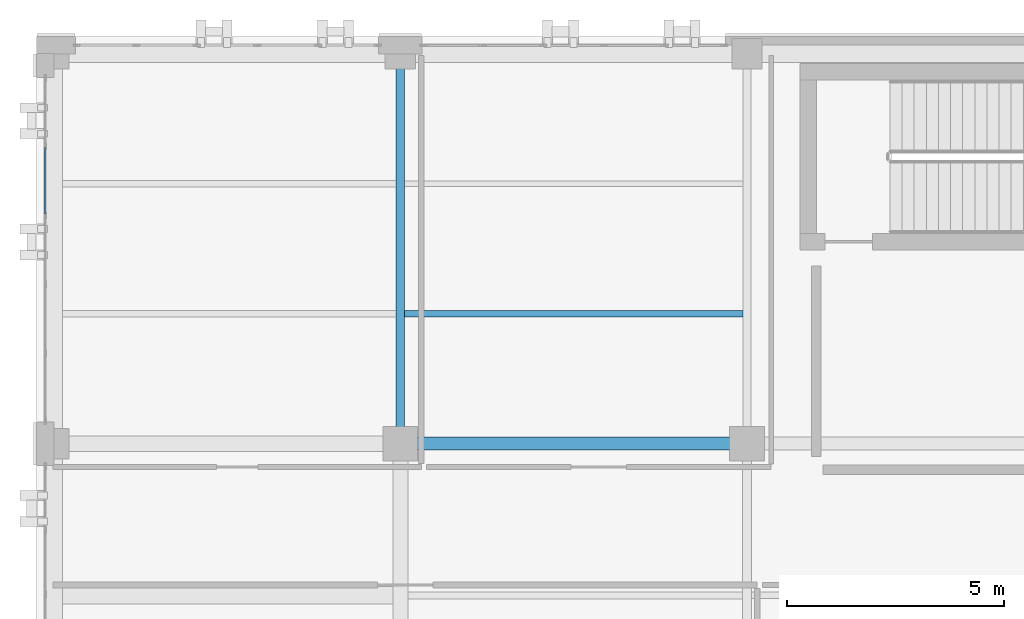
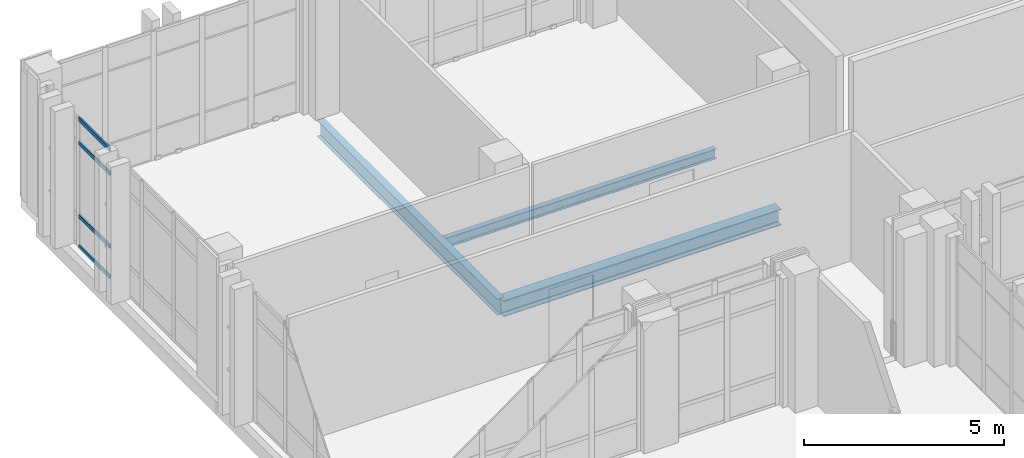
# One storey, part 86 of 158: 4 members, 3 beams, 1 element without a shape of its own.
"""IFC4 building model written with IfcOpenShell, lengths in metres."""

from ifc_helpers import new_model, si_unit, direction, frame, origin, origin_2d, place, context, subcontext, project, spatial, hollow_rectangle, i_section, extrude, material, layer, layer_set, material_profile, profile_set, type_object, element, aggregate, save


model = new_model("IFC4")

# Units and contexts
model_context = context("Model", 3, precision=1e-05, world=origin(), true_north=direction((0.0, 1.0)))
body_context = subcontext(model_context, "Body", "Model", "MODEL_VIEW")
ifc_project = project(units=[si_unit("LENGTHUNIT", "METRE"), si_unit("AREAUNIT", "SQUARE_METRE"), si_unit("VOLUMEUNIT", "CUBIC_METRE"), si_unit("PLANEANGLEUNIT", "RADIAN"), si_unit("MASSUNIT", "GRAM", prefix="KILO")], contexts=[model_context])

# Site, building, storey
site_placement = place(None, origin())
site = spatial("IfcSite", under=ifc_project, at=site_placement, CompositionType="ELEMENT")
building_placement = place(site_placement, origin())
building = spatial("IfcBuilding", under=site, at=building_placement, Name="Qalavern Law Courts", CompositionType="ELEMENT")
storey_placement = place(building_placement, frame((0.0, 0.0, 18.60009765625)))
storey = spatial("IfcBuildingStorey", under=building, at=storey_placement, Name="L04", CompositionType="ELEMENT", Elevation=18.60009765625)

# Curtain wall, members
ifc_material_1 = material(Name="Anodised aluminium and insulated glazing", Category="aluminium")
ifc_layer = layer(ifc_material_1, 0.166015625)
ifc_layer_set = layer_set([ifc_layer], Name="Anodised aluminium and insulated glazing")
curtain_wall_type = type_object("IfcCurtainWallType", Name="ENV-CW-LIB", PredefinedType="USERDEFINED", material=ifc_layer_set)
curtain_wall_placement = place(storey_placement, origin())
curtain_wall = element("IfcCurtainWall", 1, at=curtain_wall_placement, inside=storey, type_object=curtain_wall_type, Name="V5 unitised curtain wall L04 west 1", ObjectType="UNITISED CURTAIN WALL", PredefinedType="USERDEFINED")
ifc_material_2 = material(Name="Anodised aluminium", Category="aluminium")
ifc_material_profile_1 = material_profile(ifc_material_2, hollow_rectangle(XDim=0.048095703125, YDim=0.1201171875, WallThickness=0.00390625, at=origin_2d()), Name="ALU TRANSOM 48x120")
ifc_profile_set_1 = profile_set([ifc_material_profile_1], Name="Anodised aluminium")
member_type = type_object("IfcMemberType", Name="ENV-CWT-48x120", PredefinedType="USERDEFINED", material=ifc_profile_set_1)
member_1_placement = place(storey_placement, frame((2.199951171875, 110.43994140625, 0.02392578125), z_axis=(0.0, -1.0, 0.0), x_axis=(1.0, 0.0, 0.0)))
member_1 = element("IfcMember", 2, at=member_1_placement, type_object=member_type, Name="CW-05 transom 2.1", ObjectType="TRANSOM", PredefinedType="USERDEFINED", context=body_context, shape_type="SweptSolid", body=[
    extrude(hollow_rectangle(XDim=0.048095703125, YDim=0.1201171875, WallThickness=0.00390625, at=origin_2d()), origin(), (0.0, 0.0, 1.0), 1.54296875),
])
member_2_placement = place(storey_placement, frame((2.199951171875, 110.43994140625, 0.949951171875), z_axis=(0.0, -1.0, 0.0), x_axis=(1.0, 0.0, 0.0)))
member_2 = element("IfcMember", 3, at=member_2_placement, type_object=member_type, Name="CW-05 transom 2.2", ObjectType="TRANSOM", PredefinedType="USERDEFINED", context=body_context, shape_type="SweptSolid", body=[
    extrude(hollow_rectangle(XDim=0.048095703125, YDim=0.1201171875, WallThickness=0.00390625, at=origin_2d()), origin(), (0.0, 0.0, 1.0), 1.54296875),
])
member_3_placement = place(storey_placement, frame((2.199951171875, 110.43994140625, 3.1748046875), z_axis=(0.0, -1.0, 0.0), x_axis=(1.0, 0.0, 0.0)))
member_3 = element("IfcMember", 4, at=member_3_placement, type_object=member_type, Name="CW-05 transom 2.3", ObjectType="TRANSOM", PredefinedType="USERDEFINED", context=body_context, shape_type="SweptSolid", body=[
    extrude(hollow_rectangle(XDim=0.048095703125, YDim=0.1201171875, WallThickness=0.00390625, at=origin_2d()), origin(), (0.0, 0.0, 1.0), 1.54296875),
])
member_4_placement = place(storey_placement, frame((2.199951171875, 110.43994140625, 3.90087890625), z_axis=(0.0, -1.0, 0.0), x_axis=(1.0, 0.0, 0.0)))
member_4 = element("IfcMember", 5, at=member_4_placement, type_object=member_type, Name="CW-05 transom 2.4", ObjectType="TRANSOM", PredefinedType="USERDEFINED", context=body_context, shape_type="SweptSolid", body=[
    extrude(hollow_rectangle(XDim=0.048095703125, YDim=0.1201171875, WallThickness=0.00390625, at=origin_2d()), origin(), (0.0, 0.0, 1.0), 1.54296875),
])
aggregate(curtain_wall, [member_1, member_2, member_3, member_4])

# Beams
ifc_material_3 = material(Name="Steel S355", Category="steel")
ifc_material_profile_2 = material_profile(ifc_material_3, i_section(OverallWidth=0.300048828125, OverallDepth=0.489990234375, WebThickness=0.011962890625, FlangeThickness=0.02294921875, FilletRadius=0.027099609375, at=origin_2d()), Name="HEA 500")
ifc_profile_set_2 = profile_set([ifc_material_profile_2], Name="Steel S355")
beam_type_1 = type_object("IfcBeamType", Name="STR-BM-HEA500", PredefinedType="BEAM", material=ifc_profile_set_2)
beam_1_placement = place(storey_placement, frame((10.39990234375, 103.60009765625, -0.525146484375), z_axis=(1.0, 0.0, 0.0), x_axis=(0.0, 1.0, 0.0)))
element("IfcBeam", 6, at=beam_1_placement, inside=storey, type_object=beam_type_1, Name="V5 X-beam 2-2 L04", PredefinedType="BEAM", context=body_context, shape_type="SweptSolid", body=[
    extrude(i_section(OverallWidth=0.300048828125, OverallDepth=0.489990234375, WebThickness=0.011962890625, FlangeThickness=0.02294921875, FilletRadius=0.027099609375, at=origin_2d()), origin(), (0.0, 0.0, 1.0), 8.0),
])
ifc_material_profile_3 = material_profile(ifc_material_3, i_section(OverallWidth=0.199951171875, OverallDepth=0.5, WebThickness=0.01025390625, FlangeThickness=0.01611328125, FilletRadius=0.02099609375, at=origin_2d()), Name="IPE 500")
ifc_profile_set_3 = profile_set([ifc_material_profile_3], Name="Steel S355")
beam_type_2 = type_object("IfcBeamType", Name="STR-BM-IPE500", PredefinedType="BEAM", material=ifc_profile_set_3)
beam_2_placement = place(storey_placement, frame((10.39990234375, 103.60009765625, -0.530029296875), z_axis=(0.0, 1.0, 0.0), x_axis=(-1.0, 0.0, 0.0)))
element("IfcBeam", 7, at=beam_2_placement, inside=storey, type_object=beam_type_2, Name="V5 Y-beam 2-2 L04", PredefinedType="BEAM", context=body_context, shape_type="SweptSolid", body=[
    extrude(i_section(OverallWidth=0.199951171875, OverallDepth=0.5, WebThickness=0.01025390625, FlangeThickness=0.01611328125, FilletRadius=0.02099609375, at=origin_2d()), origin(), (0.0, 0.0, 1.0), 9.0),
])
ifc_material_profile_4 = material_profile(ifc_material_3, i_section(OverallWidth=0.14990234375, OverallDepth=0.300048828125, WebThickness=0.007080078125, FlangeThickness=0.0107421875, FilletRadius=0.014892578125, at=origin_2d()), Name="IPE 300")
ifc_profile_set_4 = profile_set([ifc_material_profile_4], Name="Steel S355")
beam_type_3 = type_object("IfcBeamType", Name="STR-JST-IPE300", PredefinedType="JOIST", material=ifc_profile_set_4)
beam_3_placement = place(storey_placement, frame((10.498046875, 106.60009765625, -0.43017578125), z_axis=(1.0, 0.0, 0.0), x_axis=(0.0, 1.0, 0.0)))
element("IfcBeam", 8, at=beam_3_placement, inside=storey, type_object=beam_type_3, Name="V5 secondary joist 2.2.1 L04", PredefinedType="JOIST", context=body_context, shape_type="SweptSolid", body=[
    extrude(i_section(OverallWidth=0.14990234375, OverallDepth=0.300048828125, WebThickness=0.007080078125, FlangeThickness=0.0107421875, FilletRadius=0.014892578125, at=origin_2d()), origin(), (0.0, 0.0, 1.0), 7.81396484375),
])

save(model, "model.ifc")
